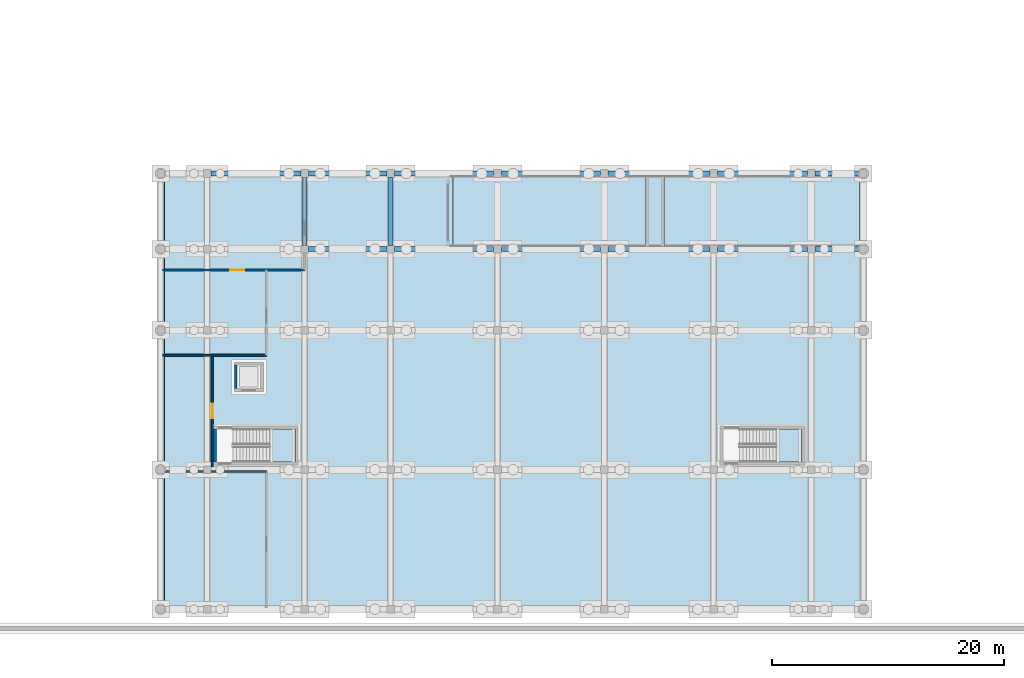
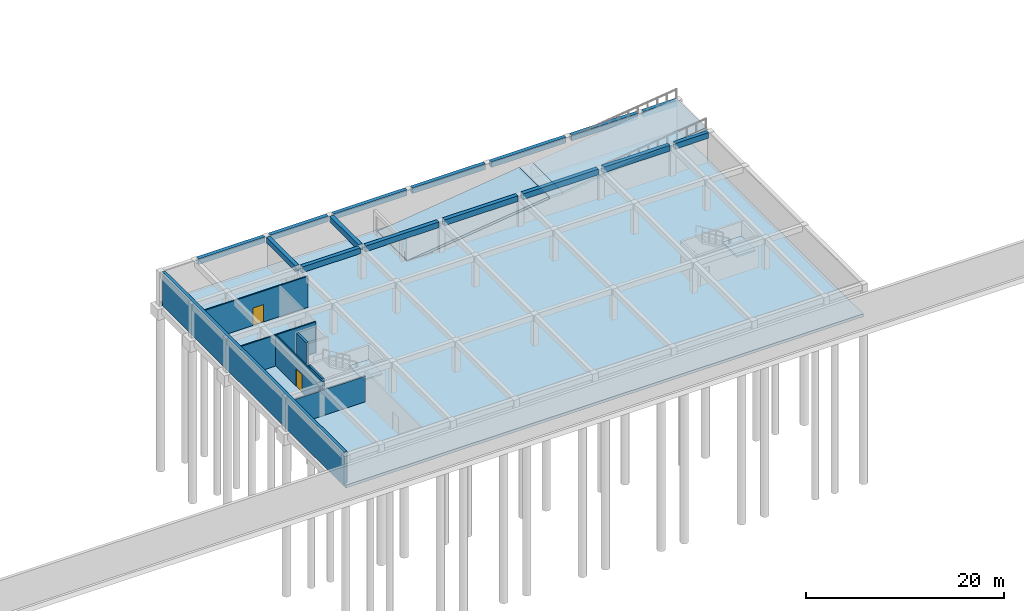
# One storey, part 2 of 10: 15 beams, 7 walls, 6 slabs, 2 doors, 2 openings, 2 elements without a shape of their own.
"""IFC4 building model written with IfcOpenShell, lengths in metres."""

from ifc_helpers import new_model, si_unit, direction, frame, frame_2d, origin, origin_2d, place, context, subcontext, project, spatial, polyline, rectangle, outline, extrude, material, layer, layer_set, material_profile, profile_set, type_object, element, fill, aggregate, save


model = new_model("IFC4")

# Units and contexts
model_context = context("Model", 3, precision=1e-05, world=origin(), true_north=direction((0.0, 1.0)))
body_context = subcontext(model_context, "Body", "Model", "MODEL_VIEW")
ifc_project = project(units=[si_unit("LENGTHUNIT", "METRE"), si_unit("AREAUNIT", "SQUARE_METRE"), si_unit("VOLUMEUNIT", "CUBIC_METRE"), si_unit("PLANEANGLEUNIT", "RADIAN"), si_unit("MASSUNIT", "GRAM", prefix="KILO")], contexts=[model_context])

# Site, building, storey
site_placement = place(None, origin())
site = spatial("IfcSite", under=ifc_project, at=site_placement, CompositionType="ELEMENT")
building_placement = place(site_placement, origin())
building = spatial("IfcBuilding", under=site, at=building_placement, Name="Kestramere Prow Commons", CompositionType="ELEMENT")
storey_placement = place(building_placement, frame((0.0, 0.0, -4.199951171875)))
storey = spatial("IfcBuildingStorey", under=building, at=storey_placement, Name="B1", CompositionType="ELEMENT", Elevation=-4.199951171875)

# Beams
ifc_material_1 = material(Name="Concrete C35/45", Category="concrete")
ifc_material_profile = material_profile(ifc_material_1, rectangle(XDim=0.449951171875, YDim=0.699951171875, at=origin_2d()), Name="RC-BM 450x700")
ifc_profile_set = profile_set([ifc_material_profile], Name="Concrete C35/45")
beam_type = type_object("IfcBeamType", Name="BM-B1-01 RC-BM 450x700", PredefinedType="BEAM", material=ifc_profile_set)
beam_1_placement = place(storey_placement, frame((68.72509765625, 31.0, 3.5), z_axis=(1.0, 0.0, 0.0), x_axis=(0.0, 1.0, 0.0)))
element("IfcBeam", 1, at=beam_1_placement, inside=storey, type_object=beam_type, Name="B1 Longitudinal Girder 4-3", PredefinedType="BEAM", context=body_context, shape_type="SweptSolid", body=[
    extrude(rectangle(XDim=0.449951171875, YDim=0.699951171875, at=origin_2d()), origin(), (0.0, 0.0, 1.0), 6.75),
])
for number, where, z_axis, x_axis, name in (
    (2, (76.125, 31.0, 3.5), (1.0, 0.0, 0.0), (0.0, 1.0, 0.0), "B1 Longitudinal Girder 4-4"),
    (3, (85.324951171875, 31.0, 3.5), (1.0, 0.0, 0.0), (0.0, 1.0, 0.0), "B1 Longitudinal Girder 4-5"),
):
    element("IfcBeam", number, at=place(storey_placement, frame(where, z_axis=z_axis, x_axis=x_axis)), inside=storey, type_object=beam_type, Name=name, PredefinedType="BEAM", context=body_context, shape_type="SweptSolid", body=[
        extrude(rectangle(XDim=0.449951171875, YDim=0.699951171875, at=origin_2d()), origin(), (0.0, 0.0, 1.0), 8.550048828125),
    ])
beam_2_placement = place(storey_placement, frame((94.52490234375, 31.0, 3.5), z_axis=(1.0, 0.0, 0.0), x_axis=(0.0, 1.0, 0.0)))
element("IfcBeam", 4, at=beam_2_placement, inside=storey, type_object=beam_type, Name="B1 Longitudinal Girder 4-6", PredefinedType="BEAM", context=body_context, shape_type="SweptSolid", body=[
    extrude(rectangle(XDim=0.449951171875, YDim=0.699951171875, at=origin_2d()), origin(), (0.0, 0.0, 1.0), 8.75),
])
beam_3_placement = place(storey_placement, frame((103.925048828125, 31.0, 3.5), z_axis=(1.0, 0.0, 0.0), x_axis=(0.0, 1.0, 0.0)))
element("IfcBeam", 5, at=beam_3_placement, inside=storey, type_object=beam_type, Name="B1 Longitudinal Girder 4-7", PredefinedType="BEAM", context=body_context, shape_type="SweptSolid", body=[
    extrude(rectangle(XDim=0.449951171875, YDim=0.699951171875, at=origin_2d()), origin(), (0.0, 0.0, 1.0), 7.75),
])
beam_4_placement = place(storey_placement, frame((112.324951171875, 31.0, 3.5), z_axis=(1.0, 0.0, 0.0), x_axis=(0.0, 1.0, 0.0)))
element("IfcBeam", 6, at=beam_4_placement, inside=storey, type_object=beam_type, Name="B1 Longitudinal Girder 4-8", PredefinedType="BEAM", context=body_context, shape_type="SweptSolid", body=[
    extrude(rectangle(XDim=0.449951171875, YDim=0.699951171875, at=origin_2d()), origin(), (0.0, 0.0, 1.0), 3.85009765625),
])
beam_5_placement = place(storey_placement, frame((60.324951171875, 37.5, 3.5), z_axis=(1.0, 0.0, 0.0), x_axis=(0.0, 1.0, 0.0)))
element("IfcBeam", 7, at=beam_5_placement, inside=storey, type_object=beam_type, Name="B1 Longitudinal Girder 5-2", PredefinedType="BEAM", context=body_context, shape_type="SweptSolid", body=[
    extrude(rectangle(XDim=0.449951171875, YDim=0.699951171875, at=origin_2d()), origin(), (0.0, 0.0, 1.0), 7.75),
])
beam_6_placement = place(storey_placement, frame((68.72509765625, 37.5, 3.5), z_axis=(1.0, 0.0, 0.0), x_axis=(0.0, 1.0, 0.0)))
element("IfcBeam", 8, at=beam_6_placement, inside=storey, type_object=beam_type, Name="B1 Longitudinal Girder 5-3", PredefinedType="BEAM", context=body_context, shape_type="SweptSolid", body=[
    extrude(rectangle(XDim=0.449951171875, YDim=0.699951171875, at=origin_2d()), origin(), (0.0, 0.0, 1.0), 6.75),
])
for number, where, z_axis, x_axis, name in (
    (9, (76.125, 37.5, 3.5), (1.0, 0.0, 0.0), (0.0, 1.0, 0.0), "B1 Longitudinal Girder 5-4"),
    (10, (85.324951171875, 37.5, 3.5), (1.0, 0.0, 0.0), (0.0, 1.0, 0.0), "B1 Longitudinal Girder 5-5"),
):
    element("IfcBeam", number, at=place(storey_placement, frame(where, z_axis=z_axis, x_axis=x_axis)), inside=storey, type_object=beam_type, Name=name, PredefinedType="BEAM", context=body_context, shape_type="SweptSolid", body=[
        extrude(rectangle(XDim=0.449951171875, YDim=0.699951171875, at=origin_2d()), origin(), (0.0, 0.0, 1.0), 8.550048828125),
    ])
beam_7_placement = place(storey_placement, frame((94.52490234375, 37.5, 3.5), z_axis=(1.0, 0.0, 0.0), x_axis=(0.0, 1.0, 0.0)))
element("IfcBeam", 11, at=beam_7_placement, inside=storey, type_object=beam_type, Name="B1 Longitudinal Girder 5-6", PredefinedType="BEAM", context=body_context, shape_type="SweptSolid", body=[
    extrude(rectangle(XDim=0.449951171875, YDim=0.699951171875, at=origin_2d()), origin(), (0.0, 0.0, 1.0), 8.75),
])
beam_8_placement = place(storey_placement, frame((103.925048828125, 37.5, 3.5), z_axis=(1.0, 0.0, 0.0), x_axis=(0.0, 1.0, 0.0)))
element("IfcBeam", 12, at=beam_8_placement, inside=storey, type_object=beam_type, Name="B1 Longitudinal Girder 5-7", PredefinedType="BEAM", context=body_context, shape_type="SweptSolid", body=[
    extrude(rectangle(XDim=0.449951171875, YDim=0.699951171875, at=origin_2d()), origin(), (0.0, 0.0, 1.0), 7.75),
])
beam_9_placement = place(storey_placement, frame((112.324951171875, 37.5, 3.5), z_axis=(1.0, 0.0, 0.0), x_axis=(0.0, 1.0, 0.0)))
element("IfcBeam", 13, at=beam_9_placement, inside=storey, type_object=beam_type, Name="B1 Longitudinal Girder 5-8", PredefinedType="BEAM", context=body_context, shape_type="SweptSolid", body=[
    extrude(rectangle(XDim=0.449951171875, YDim=0.699951171875, at=origin_2d()), origin(), (0.0, 0.0, 1.0), 3.85009765625),
])
for number, where, z_axis, x_axis, name in (
    (14, (68.39990234375, 31.324951171875, 3.5), (0.0, 1.0, 0.0), (-1.0, 0.0, 0.0), "B1 Transverse Girder 3-4"),
    (15, (75.800048828125, 31.324951171875, 3.5), (0.0, 1.0, 0.0), (-1.0, 0.0, 0.0), "B1 Transverse Girder 4-4"),
):
    element("IfcBeam", number, at=place(storey_placement, frame(where, z_axis=z_axis, x_axis=x_axis)), inside=storey, type_object=beam_type, Name=name, PredefinedType="BEAM", context=body_context, shape_type="SweptSolid", body=[
        extrude(rectangle(XDim=0.449951171875, YDim=0.699951171875, at=origin_2d()), origin(), (0.0, 0.0, 1.0), 5.85009765625),
    ])

# Slabs
ifc_layer_1 = layer(ifc_material_1, 0.35009765625)
ifc_layer_set_1 = layer_set([ifc_layer_1], Name="Concrete C35/45")
slab_type_1 = type_object("IfcSlabType", Name="SL-BASE-350", PredefinedType="BASESLAB", material=ifc_layer_set_1)
slab_1_placement = place(storey_placement, frame((0.0, 0.0, -0.35009765625)))
element("IfcSlab", 16, at=slab_1_placement, inside=storey, type_object=slab_type_1, Name="B1 Basement Car Park Structural Base Slab", PredefinedType="BASESLAB", context=body_context, shape_type="SweptSolid", body=[
    extrude(outline(polyline([(56.0, 0.0), (116.5, 0.0), (116.5, 37.5), (56.0, 37.5), (56.0, 0.0)]), holes=[polyline([(81.159912109375, 31.22998046875), (84.199951171875, 31.22998046875), (84.199951171875, 37.27001953125), (81.159912109375, 37.27001953125), (81.159912109375, 31.22998046875)])]), origin(), (0.0, 0.0, 1.0), 0.35009765625),
])
ifc_layer_2 = layer(ifc_material_1, 0.300048828125)
ifc_layer_set_2 = layer_set([ifc_layer_2], Name="Concrete C35/45")
slab_type_2 = type_object("IfcSlabType", Name="SL-RMP-LAND-300", PredefinedType="LANDING", material=ifc_layer_set_2)
slab_2_placement = place(storey_placement, frame((0.0, 0.0, 1.800048828125)))
element("IfcSlab", 17, at=slab_2_placement, inside=storey, type_object=slab_type_2, Name="Car Park Vehicle Ramp R1 Intermediate Structural Landing Slab", PredefinedType="LANDING", context=body_context, shape_type="SweptSolid", body=[
    extrude(outline(polyline([(97.800048828125, 31.219970703125), (99.35009765625, 31.219970703125), (99.35009765625, 37.280029296875), (97.800048828125, 37.280029296875), (97.800048828125, 31.219970703125)])), origin(), (0.0, 0.0, 1.0), 0.2998046875),
])

# Stair, slab
ifc_material_2 = material(Name="Concrete C40/50", Category="concrete")
stair_type = type_object("IfcStairType", Name="ST-DOG-1350", PredefinedType="HALF_TURN_STAIR", material=ifc_material_2)
stair_1_placement = place(storey_placement, origin())
stair_1 = element("IfcStair", 18, at=stair_1_placement, inside=storey, type_object=stair_type, Name="B1 Market and Car Park Exit Stair 1", PredefinedType="HALF_TURN_STAIR")
ifc_layer_3 = layer(ifc_material_2, 0.199951171875)
ifc_layer_set_3 = layer_set([ifc_layer_3], Name="Concrete C40/50")
slab_type_3 = type_object("IfcSlabType", Name="SL-ST-LAND-200", PredefinedType="LANDING", material=ifc_layer_set_3)
slab_3_placement = place(storey_placement, frame((0.0, 0.0, 1.89990234375)))
slab_3 = element("IfcSlab", 19, at=slab_3_placement, type_object=slab_type_3, Name="ST-M1 landing 1", PredefinedType="LANDING", context=body_context, shape_type="SweptSolid", body=[
    extrude(outline(polyline([(65.385009765625, 12.64990234375), (67.60009765625, 12.64990234375), (67.60009765625, 15.5), (65.385009765625, 15.5), (65.385009765625, 12.64990234375)])), origin(), (0.0, 0.0, 1.0), 0.199951171875),
])
aggregate(stair_1, [slab_3])

stair_2_placement = place(storey_placement, origin())
stair_2 = element("IfcStair", 20, at=stair_2_placement, inside=storey, type_object=stair_type, Name="B1 Market and Car Park Exit Stair 2", PredefinedType="HALF_TURN_STAIR")
slab_4_placement = place(storey_placement, frame((0.0, 0.0, 1.89990234375)))
slab_4 = element("IfcSlab", 21, at=slab_4_placement, type_object=slab_type_3, Name="ST-M2 landing 1", PredefinedType="LANDING", context=body_context, shape_type="SweptSolid", body=[
    extrude(outline(polyline([(108.985107421875, 12.64990234375), (111.199951171875, 12.64990234375), (111.199951171875, 15.5), (108.985107421875, 15.5), (108.985107421875, 12.64990234375)])), origin(), (0.0, 0.0, 1.0), 0.199951171875),
])
aggregate(stair_2, [slab_4])

# Slabs
ifc_layer_4 = layer(ifc_material_1, 0.300048828125)
ifc_layer_set_4 = layer_set([ifc_layer_4], Name="Concrete C35/45")
slab_type_4 = type_object("IfcSlabType", Name="SL-VEH-RAMP-300", PredefinedType="FLOOR", material=ifc_layer_set_4)
slab_5_placement = place(storey_placement, frame((81.199951171875, 31.239990234375, 0.0), z_axis=(-0.125496384326, 0.0, 0.992094076951), x_axis=(0.992094076951, 0.0, 0.125496384326)))
element("IfcSlab", 22, at=slab_5_placement, inside=storey, type_object=slab_type_4, Name="Car Park Vehicle Ramp R1 Lower Sloped Structural Slab", PredefinedType="FLOOR", context=body_context, shape_type="SweptSolid", body=[
    extrude(outline(polyline([(0.0, 0.0), (16.732382585397676, 0.0), (16.732382585397676, 6.02001953125), (0.0, 6.02001953125), (0.0, 0.0)])), origin(), (0.0, 0.0, -1.0), 0.300048828125),
])
slab_6_placement = place(storey_placement, frame((99.35009765625, 31.239990234375, 2.099853515625), z_axis=(-0.12404183372, 0.0, 0.992276989297), x_axis=(0.992276989297, 0.0, 0.12404183372)))
element("IfcSlab", 23, at=slab_6_placement, inside=storey, type_object=slab_type_4, Name="Car Park Vehicle Ramp R1 Upper Sloped Structural Slab", PredefinedType="FLOOR", context=body_context, shape_type="SweptSolid", body=[
    extrude(outline(polyline([(0.0, 0.0), (16.930559580354505, 0.0), (16.930559580354505, 6.020019531249999), (0.0, 6.020019531249999), (0.0, 0.0)])), origin(), (0.0, 0.0, -1.0), 0.300048828125),
])

# Walls
ifc_layer_5 = layer(ifc_material_2, 0.25)
ifc_layer_set_5 = layer_set([ifc_layer_5], Name="Concrete C40/50")
wall_type_1 = type_object("IfcWallType", Name="W-CORE-250", PredefinedType="SHEAR", material=ifc_layer_set_5)
wall_1_placement = place(storey_placement, frame((60.675048828125, 12.64990234375, -0.35009765625), z_axis=(0.0, 0.0, 1.0), x_axis=(0.0, 1.0, 0.0)))
element("IfcWall", 24, at=wall_1_placement, inside=storey, type_object=wall_type_1, Name="SW-ST-M1-B1-N", PredefinedType="SHEAR", context=body_context, shape_type="SweptSolid", body=[
    extrude(rectangle(XDim=2.85009765625, YDim=0.25, at=frame_2d((1.425048828125, 0.0))), origin(), (0.0, 0.0, 1.0), 4.199951171875),
])
wall_2_placement = place(storey_placement, frame((62.47509765625, 19.0, -0.35009765625), z_axis=(0.0, 0.0, 1.0), x_axis=(0.0, 1.0, 0.0)))
element("IfcWall", 25, at=wall_2_placement, inside=storey, type_object=wall_type_1, Name="CW-PLS1-B1-W", PredefinedType="SHEAR", context=body_context, shape_type="SweptSolid", body=[
    extrude(rectangle(XDim=2.0, YDim=0.25, at=frame_2d((1.0, 0.0))), origin(), (0.0, 0.0, 1.0), 4.199951171875),
])
ifc_material_3 = material(Name="Masonry Compartment Wall", Category="masonry")
ifc_layer_6 = layer(ifc_material_3, 0.14990234375)
ifc_layer_set_6 = layer_set([ifc_layer_6], Name="Masonry Compartment Wall")
wall_type_2 = type_object("IfcWallType", Name="W-PART-150", PredefinedType="PARTITIONING", material=ifc_layer_set_6)
wall_3_placement = place(storey_placement, frame((56.179931640625, 11.85009765625, 0.0), z_axis=(0.0, 0.0, 1.0), x_axis=(1.0, 0.0, 0.0)))
element("IfcWall", 26, at=wall_3_placement, inside=storey, type_object=wall_type_2, Name="Interior Partition PW-B1-WTR-N", PredefinedType="PARTITIONING", context=body_context, shape_type="SweptSolid", body=[
    extrude(rectangle(XDim=8.920166015625, YDim=0.14990234375, at=frame_2d((4.4599609375, 0.0))), origin(), (0.0, 0.0, 1.0), 3.14990234375),
])

# Wall, opening, door
wall_4_placement = place(storey_placement, frame((60.449951171875, 12.25, 0.0), z_axis=(0.0, 0.0, 1.0), x_axis=(0.0, 1.0, 0.0)))
wall_4 = element("IfcWall", 27, at=wall_4_placement, inside=storey, type_object=wall_type_2, Name="Interior Partition PW-B1-GEN-E", PredefinedType="PARTITIONING", context=body_context, shape_type="SweptSolid", body=[
    extrude(rectangle(XDim=9.60009765625, YDim=0.14990234375, at=frame_2d((4.800048828125, 0.0))), origin(), (0.0, 0.0, 1.0), 3.820068359375),
])
opening_1_placement = place(wall_4_placement, frame((4.199951171875, 0.0, 0.0)))
opening_1 = element("IfcOpeningElement", 28, at=opening_1_placement, cuts=wall_4, Name="Opening ID-07", PredefinedType="OPENING", context=body_context, shape_type="SweptSolid", body=[
    extrude(rectangle(XDim=1.219970703125, YDim=2.14990234375, at=frame_2d((0.60986328125, 1.074951171875))), frame((0.0, 0.08984375, 0.0), z_axis=(0.0, -1.0, 0.0), x_axis=(1.0, 0.0, 0.0)), (0.0, 0.0, 1.0), 0.179931640625),
])
ifc_material_4 = material(Name="Galvanised Steel S275JR Plant Room Door", Category="steel")
door_type = type_object("IfcDoorType", Name="FD-PL-01", OperationType="NOTDEFINED", PredefinedType="DOOR", material=ifc_material_4)
door_1_placement = place(opening_1_placement, origin())
door_1 = element("IfcDoor", 29, at=door_1_placement, inside=storey, type_object=door_type, Name="Interior Door DR-B1-GEN", OperationType="SINGLE_SWING_RIGHT", OverallHeight=2.14990234375, OverallWidth=1.219970703125, PredefinedType="DOOR", context=body_context, shape_type="SweptSolid", body=[
    extrude(rectangle(XDim=1.219970703125, YDim=2.14990234375, at=frame_2d((0.60986328125, 1.074951171875))), frame((0.0, 0.02490234375, 0.0), z_axis=(0.0, -1.0, 0.0), x_axis=(1.0, 0.0, 0.0)), (0.0, 0.0, 1.0), 0.050048828125),
])
fill(opening_1, door_1)

# Wall
wall_5_placement = place(storey_placement, frame((56.179931640625, 21.85009765625, 0.0), z_axis=(0.0, 0.0, 1.0), x_axis=(1.0, 0.0, 0.0)))
element("IfcWall", 30, at=wall_5_placement, inside=storey, type_object=wall_type_2, Name="Interior Partition PW-B1-SWG-S", PredefinedType="PARTITIONING", context=body_context, shape_type="SweptSolid", body=[
    extrude(rectangle(XDim=8.920166015625, YDim=0.14990234375, at=frame_2d((4.4599609375, 0.0))), origin(), (0.0, 0.0, 1.0), 3.820068359375),
])

# Wall, opening, door
wall_6_placement = place(storey_placement, frame((56.179931640625, 29.199951171875, 0.0), z_axis=(0.0, 0.0, 1.0), x_axis=(1.0, 0.0, 0.0)))
wall_6 = element("IfcWall", 31, at=wall_6_placement, inside=storey, type_object=wall_type_2, Name="Interior Partition PW-B1-BIKE-S", PredefinedType="PARTITIONING", context=body_context, shape_type="SweptSolid", body=[
    extrude(rectangle(XDim=12.219970703125, YDim=0.14990234375, at=frame_2d((6.10986328125, 0.0))), origin(), (0.0, 0.0, 1.0), 3.820068359375),
])
opening_2_placement = place(wall_6_placement, frame((5.800048828125, 0.0, 0.0)))
opening_2 = element("IfcOpeningElement", 32, at=opening_2_placement, cuts=wall_6, Name="Opening ID-07", PredefinedType="OPENING", context=body_context, shape_type="SweptSolid", body=[
    extrude(rectangle(XDim=1.219970703125, YDim=2.14990234375, at=frame_2d((0.60986328125, 1.074951171875))), frame((0.0, 0.08984375, 0.0), z_axis=(0.0, -1.0, 0.0), x_axis=(1.0, 0.0, 0.0)), (0.0, 0.0, 1.0), 0.179931640625),
])
door_2_placement = place(opening_2_placement, origin())
door_2 = element("IfcDoor", 33, at=door_2_placement, inside=storey, type_object=door_type, Name="Interior Door DR-B1-BIKE", OperationType="SINGLE_SWING_RIGHT", OverallHeight=2.14990234375, OverallWidth=1.219970703125, PredefinedType="DOOR", context=body_context, shape_type="SweptSolid", body=[
    extrude(rectangle(XDim=1.219970703125, YDim=2.14990234375, at=frame_2d((0.60986328125, 1.074951171875))), frame((0.0, 0.02490234375, 0.0), z_axis=(0.0, -1.0, 0.0), x_axis=(1.0, 0.0, 0.0)), (0.0, 0.0, 1.0), 0.050048828125),
])
fill(opening_2, door_2)

# Wall
ifc_material_5 = material(Name="Pigmented Charcoal Concrete C35/45", Category="concrete")
ifc_layer_7 = layer(ifc_material_5, 0.35009765625)
ifc_layer_set_7 = layer_set([ifc_layer_7], Name="Pigmented Charcoal Concrete C35/45")
wall_type_3 = type_object("IfcWallType", Name="W-RET-350", PredefinedType="USERDEFINED", material=ifc_layer_set_7)
wall_7_placement = place(storey_placement, frame((56.175048828125, 0.35009765625, -0.35009765625), z_axis=(0.0, 0.0, 1.0), x_axis=(0.0, 1.0, 0.0)))
element("IfcWall", 34, at=wall_7_placement, inside=storey, type_object=wall_type_3, Name="B1 Perimeter Retaining Wall W", ObjectType="RETAINING WALL", PredefinedType="USERDEFINED", context=body_context, shape_type="SweptSolid", body=[
    extrude(rectangle(XDim=36.7998046875, YDim=0.35009765625, at=frame_2d((18.39990234375, 0.0))), origin(), (0.0, 0.0, 1.0), 4.199951171875),
])

save(model, "model.ifc")
